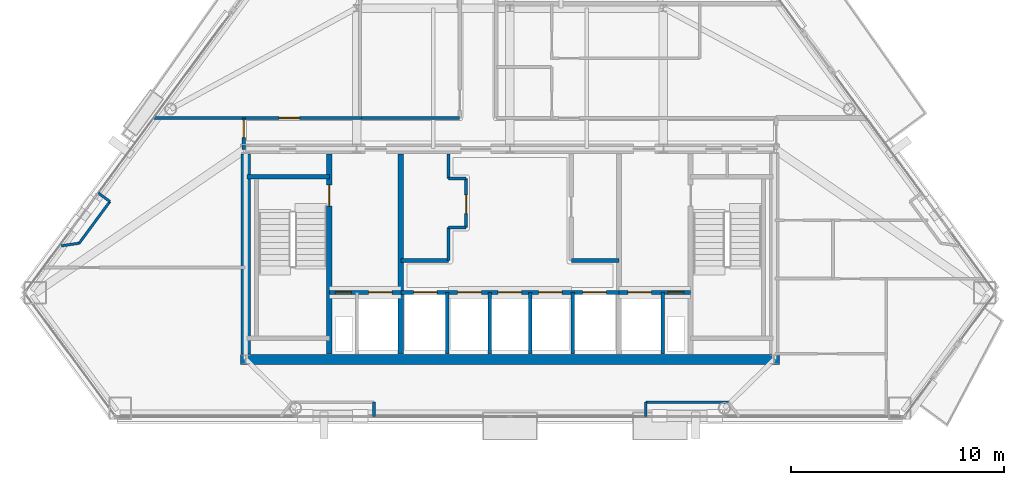
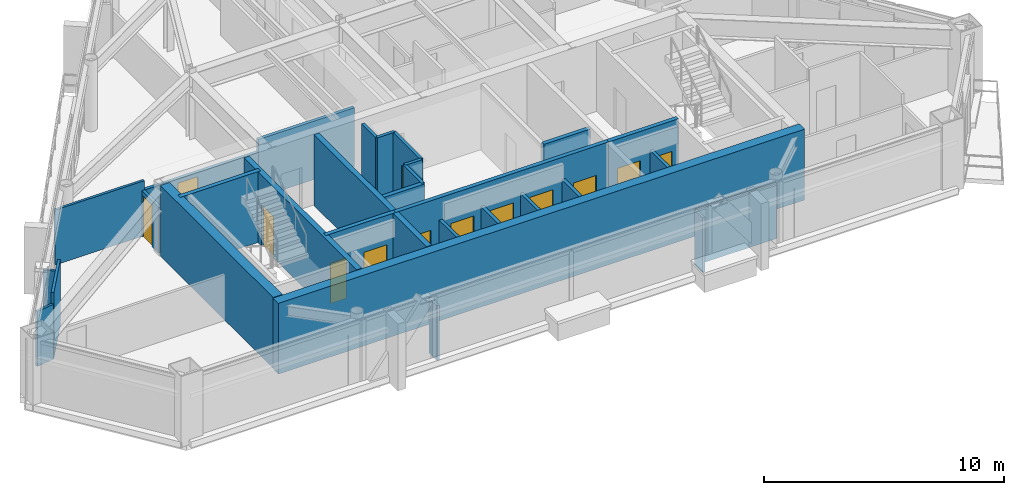
# One storey, part 7 of 11: 30 walls, 13 doors, 13 openings.
"""IFC4 building model written with IfcOpenShell, lengths in metres."""

from ifc_helpers import new_model, si_unit, direction, frame, frame_2d, origin, place, context, subcontext, project, spatial, rectangle, extrude, material, layer, layer_set, type_object, element, fill, save


model = new_model("IFC4")

# Units and contexts
model_context = context("Model", 3, precision=1e-05, world=origin(), true_north=direction((0.0, 1.0)))
body_context = subcontext(model_context, "Body", "Model", "MODEL_VIEW")
ifc_project = project(units=[si_unit("LENGTHUNIT", "METRE"), si_unit("AREAUNIT", "SQUARE_METRE"), si_unit("VOLUMEUNIT", "CUBIC_METRE"), si_unit("PLANEANGLEUNIT", "RADIAN"), si_unit("MASSUNIT", "GRAM", prefix="KILO")], contexts=[model_context])

# Site, building, storey
site_placement = place(None, origin())
site = spatial("IfcSite", under=ifc_project, at=site_placement, CompositionType="ELEMENT")
building_placement = place(site_placement, origin())
building = spatial("IfcBuilding", under=site, at=building_placement, Name="Talgorran Terracotta Tower", CompositionType="ELEMENT")
storey_placement = place(building_placement, frame((0.0, 0.0, 178.5)))
storey = spatial("IfcBuildingStorey", under=building, at=storey_placement, Name="L46", CompositionType="ELEMENT", Elevation=178.5)

# Wall
ifc_material_1 = material(Name="Concrete C50/60", Category="concrete")
ifc_layer_1 = layer(ifc_material_1, 0.199951171875, Name="WT_CORE_200")
ifc_layer_set_1 = layer_set([ifc_layer_1], Name="Concrete C50/60")
wall_type_1 = type_object("IfcWallType", Name="WT_CORE_200", PredefinedType="SOLIDWALL", material=ifc_layer_set_1)
wall_1_placement = place(storey_placement, frame((-12.35009765625, -5.52001953125, 0.0), z_axis=(0.0, 0.0, 1.0), x_axis=(1.0, 0.0, 0.0)))
element("IfcWall", 1, at=wall_1_placement, inside=storey, type_object=wall_type_1, Name="WL-L46-CW-ST1-N", PredefinedType="SOLIDWALL", context=body_context, shape_type="SweptSolid", body=[
    extrude(rectangle(XDim=3.8701171875, YDim=0.199951171875, at=frame_2d((1.93505859375, 0.0))), origin(), (0.0, 0.0, 1.0), 3.60009765625),
])

# Wall, openings, doors
wall_2_placement = place(storey_placement, frame((-8.47998046875, -10.949951171875, 0.0), z_axis=(0.0, 0.0, 1.0), x_axis=(1.0, 0.0, 0.0)))
wall_2 = element("IfcWall", 2, at=wall_2_placement, inside=storey, type_object=wall_type_1, Name="WL-L46-CW-H-SBW", PredefinedType="SOLIDWALL", context=body_context, shape_type="SweptSolid", body=[
    extrude(rectangle(XDim=3.35986328125, YDim=0.199951171875, at=frame_2d((1.679931640625, 0.0))), origin(), (0.0, 0.0, 1.0), 3.60009765625),
])
opening_1_placement = place(wall_2_placement, frame((0.280029296875, 0.0, 0.0)))
opening_1 = element("IfcOpeningElement", 3, at=opening_1_placement, cuts=wall_2, Name="Opening DR-RSW", PredefinedType="OPENING", context=body_context, shape_type="SweptSolid", body=[
    extrude(rectangle(XDim=0.756, YDim=2.054048828125, at=frame_2d((0.375, 1.027099609375))), frame((0.0, 0.10986328125, 0.0), z_axis=(0.0, -1.0, 0.0), x_axis=(1.0, 0.0, 0.0)), (0.0, 0.0, 1.0), 0.219970703125),
])
opening_2_placement = place(wall_2_placement, frame((1.85009765625, 0.0, 0.0)))
opening_2 = element("IfcOpeningElement", 4, at=opening_2_placement, cuts=wall_2, Name="Opening LD-FFL1", PredefinedType="OPENING", context=body_context, shape_type="SweptSolid", body=[
    extrude(rectangle(XDim=1.10609765625, YDim=2.10409765625, at=frame_2d((0.550048828125, 1.052001953125))), frame((0.0, 0.10986328125, 0.0), z_axis=(0.0, -1.0, 0.0), x_axis=(1.0, 0.0, 0.0)), (0.0, 0.0, 1.0), 0.219970703125),
])
ifc_material_2 = material(Name="Brushed Stainless Steel Grade 304", Category="steel")
door_type_1 = type_object("IfcDoorType", Name="DT_LIFT_LD1100", OperationType="DOUBLE_DOOR_SLIDING", PredefinedType="DOOR", material=ifc_material_2)
door_1_placement = place(opening_2_placement, origin())
door_1 = element("IfcDoor", 5, at=door_1_placement, inside=storey, type_object=door_type_1, Name="L46 Lift Landing Door LD-FFL1", OperationType="DOUBLE_DOOR_SLIDING", OverallHeight=2.10009765625, OverallWidth=1.10009765625, PredefinedType="DOOR", context=body_context, shape_type="SweptSolid", body=[
    extrude(rectangle(XDim=1.10009765625, YDim=2.10009765625, at=frame_2d((0.550048828125, 1.050048828125))), frame((0.0, 0.02490234375, 0.0), z_axis=(0.0, -1.0, 0.0), x_axis=(1.0, 0.0, 0.0)), (0.0, 0.0, 1.0), 0.050048828125),
])
fill(opening_2, door_1)
ifc_material_3 = material(Name="Fire-Rated Pressed Steel", Category="steel")
door_type_2 = type_object("IfcDoorType", Name="DT_RISER_750", OperationType="NOTDEFINED", PredefinedType="DOOR", material=ifc_material_3)
door_2_placement = place(opening_1_placement, origin())
door_2 = element("IfcDoor", 6, at=door_2_placement, inside=storey, type_object=door_type_2, Name="DR-RSW", OperationType="SINGLE_SWING_LEFT", OverallHeight=2.050048828125, OverallWidth=0.75, PredefinedType="DOOR", context=body_context, shape_type="SweptSolid", body=[
    extrude(rectangle(XDim=0.75, YDim=2.050048828125, at=frame_2d((0.375, 1.02490234375))), frame((0.0, 0.02490234375, 0.0), z_axis=(0.0, -1.0, 0.0), x_axis=(1.0, 0.0, 0.0)), (0.0, 0.0, 1.0), 0.050048828125),
])
fill(opening_1, door_2)

wall_3_placement = place(storey_placement, frame((-5.1201171875, -10.949951171875, 0.0), z_axis=(0.0, 0.0, 1.0), x_axis=(1.0, 0.0, 0.0)))
wall_3 = element("IfcWall", 7, at=wall_3_placement, inside=storey, type_object=wall_type_1, Name="WL-L46-CW-H-SBC", PredefinedType="SOLIDWALL", context=body_context, shape_type="SweptSolid", body=[
    extrude(rectangle(XDim=10.240234375, YDim=0.199951171875, at=frame_2d((5.1201171875, 0.0))), origin(), (0.0, 0.0, 1.0), 3.60009765625),
])
opening_3_placement = place(wall_3_placement, frame((0.60009765625, 0.0, 0.0)))
opening_3 = element("IfcOpeningElement", 8, at=opening_3_placement, cuts=wall_3, Name="Opening LD-OB1", PredefinedType="OPENING", context=body_context, shape_type="SweptSolid", body=[
    extrude(rectangle(XDim=1.10609765625, YDim=2.10409765625, at=frame_2d((0.550048828125, 1.052001953125))), frame((0.0, 0.10986328125, 0.0), z_axis=(0.0, -1.0, 0.0), x_axis=(1.0, 0.0, 0.0)), (0.0, 0.0, 1.0), 0.219970703125),
])
opening_4_placement = place(wall_3_placement, frame((2.669921875, 0.0, 0.0)))
opening_4 = element("IfcOpeningElement", 9, at=opening_4_placement, cuts=wall_3, Name="Opening LD-PLH1", PredefinedType="OPENING", context=body_context, shape_type="SweptSolid", body=[
    extrude(rectangle(XDim=1.10609765625, YDim=2.10409765625, at=frame_2d((0.550048828125, 1.052001953125))), frame((0.0, 0.10986328125, 0.0), z_axis=(0.0, -1.0, 0.0), x_axis=(1.0, 0.0, 0.0)), (0.0, 0.0, 1.0), 0.219970703125),
])
opening_5_placement = place(wall_3_placement, frame((4.570068359375, 0.0, 0.0)))
opening_5 = element("IfcOpeningElement", 10, at=opening_5_placement, cuts=wall_3, Name="Opening LD-PLH2", PredefinedType="OPENING", context=body_context, shape_type="SweptSolid", body=[
    extrude(rectangle(XDim=1.10609765625, YDim=2.10409765625, at=frame_2d((0.550048828125, 1.052001953125))), frame((0.0, 0.10986328125, 0.0), z_axis=(0.0, -1.0, 0.0), x_axis=(1.0, 0.0, 0.0)), (0.0, 0.0, 1.0), 0.219970703125),
])
opening_6_placement = place(wall_3_placement, frame((6.469970703125, 0.0, 0.0)))
opening_6 = element("IfcOpeningElement", 11, at=opening_6_placement, cuts=wall_3, Name="Opening LD-PLH3", PredefinedType="OPENING", context=body_context, shape_type="SweptSolid", body=[
    extrude(rectangle(XDim=1.10609765625, YDim=2.10409765625, at=frame_2d((0.550048828125, 1.052001953125))), frame((0.0, 0.10986328125, 0.0), z_axis=(0.0, -1.0, 0.0), x_axis=(1.0, 0.0, 0.0)), (0.0, 0.0, 1.0), 0.219970703125),
])
opening_7_placement = place(wall_3_placement, frame((8.5400390625, 0.0, 0.0)))
opening_7 = element("IfcOpeningElement", 12, at=opening_7_placement, cuts=wall_3, Name="Opening LD-SVL1", PredefinedType="OPENING", context=body_context, shape_type="SweptSolid", body=[
    extrude(rectangle(XDim=1.10609765625, YDim=2.10409765625, at=frame_2d((0.550048828125, 1.052001953125))), frame((0.0, 0.10986328125, 0.0), z_axis=(0.0, -1.0, 0.0), x_axis=(1.0, 0.0, 0.0)), (0.0, 0.0, 1.0), 0.219970703125),
])
door_3_placement = place(opening_3_placement, origin())
door_3 = element("IfcDoor", 13, at=door_3_placement, inside=storey, type_object=door_type_1, Name="L46 Lift Landing Door LD-OB1", OperationType="DOUBLE_DOOR_SLIDING", OverallHeight=2.10009765625, OverallWidth=1.10009765625, PredefinedType="DOOR", context=body_context, shape_type="SweptSolid", body=[
    extrude(rectangle(XDim=1.10009765625, YDim=2.10009765625, at=frame_2d((0.550048828125, 1.050048828125))), frame((0.0, 0.02490234375, 0.0), z_axis=(0.0, -1.0, 0.0), x_axis=(1.0, 0.0, 0.0)), (0.0, 0.0, 1.0), 0.050048828125),
])
fill(opening_3, door_3)
door_4_placement = place(opening_4_placement, origin())
door_4 = element("IfcDoor", 14, at=door_4_placement, inside=storey, type_object=door_type_1, Name="L46 Lift Landing Door LD-PLH1", OperationType="DOUBLE_DOOR_SLIDING", OverallHeight=2.10009765625, OverallWidth=1.10009765625, PredefinedType="DOOR", context=body_context, shape_type="SweptSolid", body=[
    extrude(rectangle(XDim=1.10009765625, YDim=2.10009765625, at=frame_2d((0.550048828125, 1.050048828125))), frame((0.0, 0.02490234375, 0.0), z_axis=(0.0, -1.0, 0.0), x_axis=(1.0, 0.0, 0.0)), (0.0, 0.0, 1.0), 0.050048828125),
])
fill(opening_4, door_4)
door_5_placement = place(opening_5_placement, origin())
door_5 = element("IfcDoor", 15, at=door_5_placement, inside=storey, type_object=door_type_1, Name="L46 Lift Landing Door LD-PLH2", OperationType="DOUBLE_DOOR_SLIDING", OverallHeight=2.10009765625, OverallWidth=1.10009765625, PredefinedType="DOOR", context=body_context, shape_type="SweptSolid", body=[
    extrude(rectangle(XDim=1.10009765625, YDim=2.10009765625, at=frame_2d((0.550048828125, 1.050048828125))), frame((0.0, 0.02490234375, 0.0), z_axis=(0.0, -1.0, 0.0), x_axis=(1.0, 0.0, 0.0)), (0.0, 0.0, 1.0), 0.050048828125),
])
fill(opening_5, door_5)
door_6_placement = place(opening_6_placement, origin())
door_6 = element("IfcDoor", 16, at=door_6_placement, inside=storey, type_object=door_type_1, Name="L46 Lift Landing Door LD-PLH3", OperationType="DOUBLE_DOOR_SLIDING", OverallHeight=2.10009765625, OverallWidth=1.10009765625, PredefinedType="DOOR", context=body_context, shape_type="SweptSolid", body=[
    extrude(rectangle(XDim=1.10009765625, YDim=2.10009765625, at=frame_2d((0.550048828125, 1.050048828125))), frame((0.0, 0.02490234375, 0.0), z_axis=(0.0, -1.0, 0.0), x_axis=(1.0, 0.0, 0.0)), (0.0, 0.0, 1.0), 0.050048828125),
])
fill(opening_6, door_6)
door_7_placement = place(opening_7_placement, origin())
door_7 = element("IfcDoor", 17, at=door_7_placement, inside=storey, type_object=door_type_1, Name="L46 Lift Landing Door LD-SVL1", OperationType="DOUBLE_DOOR_SLIDING", OverallHeight=2.10009765625, OverallWidth=1.10009765625, PredefinedType="DOOR", context=body_context, shape_type="SweptSolid", body=[
    extrude(rectangle(XDim=1.10009765625, YDim=2.10009765625, at=frame_2d((0.550048828125, 1.050048828125))), frame((0.0, 0.02490234375, 0.0), z_axis=(0.0, -1.0, 0.0), x_axis=(1.0, 0.0, 0.0)), (0.0, 0.0, 1.0), 0.050048828125),
])
fill(opening_7, door_7)

wall_4_placement = place(storey_placement, frame((5.1201171875, -10.949951171875, 0.0), z_axis=(0.0, 0.0, 1.0), x_axis=(1.0, 0.0, 0.0)))
wall_4 = element("IfcWall", 18, at=wall_4_placement, inside=storey, type_object=wall_type_1, Name="WL-L46-CW-H-SBE", PredefinedType="SOLIDWALL", context=body_context, shape_type="SweptSolid", body=[
    extrude(rectangle(XDim=3.35986328125, YDim=0.199951171875, at=frame_2d((1.679931640625, 0.0))), origin(), (0.0, 0.0, 1.0), 3.60009765625),
])
opening_8_placement = place(wall_4_placement, frame((0.419921875, 0.0, 0.0)))
opening_8 = element("IfcOpeningElement", 19, at=opening_8_placement, cuts=wall_4, Name="Opening LD-FFL2", PredefinedType="OPENING", context=body_context, shape_type="SweptSolid", body=[
    extrude(rectangle(XDim=1.10609765625, YDim=2.10409765625, at=frame_2d((0.550048828125, 1.052001953125))), frame((0.0, 0.10986328125, 0.0), z_axis=(0.0, -1.0, 0.0), x_axis=(1.0, 0.0, 0.0)), (0.0, 0.0, 1.0), 0.219970703125),
])
opening_9_placement = place(wall_4_placement, frame((2.300048828125, 0.0, 0.0)))
opening_9 = element("IfcOpeningElement", 20, at=opening_9_placement, cuts=wall_4, Name="Opening DR-RSE", PredefinedType="OPENING", context=body_context, shape_type="SweptSolid", body=[
    extrude(rectangle(XDim=0.756, YDim=2.054048828125, at=frame_2d((0.375, 1.027099609375))), frame((0.0, 0.10986328125, 0.0), z_axis=(0.0, -1.0, 0.0), x_axis=(1.0, 0.0, 0.0)), (0.0, 0.0, 1.0), 0.219970703125),
])
door_8_placement = place(opening_8_placement, origin())
door_8 = element("IfcDoor", 21, at=door_8_placement, inside=storey, type_object=door_type_1, Name="L46 Lift Landing Door LD-FFL2", OperationType="DOUBLE_DOOR_SLIDING", OverallHeight=2.10009765625, OverallWidth=1.10009765625, PredefinedType="DOOR", context=body_context, shape_type="SweptSolid", body=[
    extrude(rectangle(XDim=1.10009765625, YDim=2.10009765625, at=frame_2d((0.550048828125, 1.050048828125))), frame((0.0, 0.02490234375, 0.0), z_axis=(0.0, -1.0, 0.0), x_axis=(1.0, 0.0, 0.0)), (0.0, 0.0, 1.0), 0.050048828125),
])
fill(opening_8, door_8)
door_9_placement = place(opening_9_placement, origin())
door_9 = element("IfcDoor", 22, at=door_9_placement, inside=storey, type_object=door_type_2, Name="DR-RSE", OperationType="SINGLE_SWING_RIGHT", OverallHeight=2.050048828125, OverallWidth=0.75, PredefinedType="DOOR", context=body_context, shape_type="SweptSolid", body=[
    extrude(rectangle(XDim=0.75, YDim=2.050048828125, at=frame_2d((0.375, 1.02490234375))), frame((0.0, 0.02490234375, 0.0), z_axis=(0.0, -1.0, 0.0), x_axis=(1.0, 0.0, 0.0)), (0.0, 0.0, 1.0), 0.050048828125),
])
fill(opening_9, door_9)

# Walls
for number, where, z_axis, x_axis, name in (
    (23, (-5.1201171875, -9.449951171875, 0.0), (0.0, 0.0, 1.0), (1.0, 0.0, 0.0), "WL-L46-CW-H-W4"),
    (24, (2.8798828125, -9.449951171875, 0.0), (0.0, 0.0, 1.0), (1.0, 0.0, 0.0), "WL-L46-CW-H-E4"),
):
    element("IfcWall", number, at=place(storey_placement, frame(where, z_axis=z_axis, x_axis=x_axis)), inside=storey, type_object=wall_type_1, Name=name, PredefinedType="SOLIDWALL", context=body_context, shape_type="SweptSolid", body=[
        extrude(rectangle(XDim=2.240234375, YDim=0.199951171875, at=frame_2d((1.1201171875, 0.0))), origin(), (0.0, 0.0, 1.0), 3.35009765625),
    ])

# Wall, opening, door
ifc_layer_2 = layer(ifc_material_1, 0.25, Name="WT_CORE_250")
ifc_layer_set_2 = layer_set([ifc_layer_2], Name="Concrete C50/60")
wall_type_2 = type_object("IfcWallType", Name="WT_CORE_250", PredefinedType="SHEAR", material=ifc_layer_set_2)
wall_5_placement = place(storey_placement, frame((-8.47998046875, -13.85009765625, 0.0), z_axis=(0.0, 0.0, 1.0), x_axis=(0.0, 1.0, 0.0)))
wall_5 = element("IfcWall", 25, at=wall_5_placement, inside=storey, type_object=wall_type_2, Name="WL-L46-CW-V-W1", PredefinedType="SHEAR", context=body_context, shape_type="SweptSolid", body=[
    extrude(rectangle(XDim=9.400146484375, YDim=0.25, at=frame_2d((4.7001953125, 0.0))), origin(), (0.0, 0.0, 1.0), 3.60009765625),
])
opening_10_placement = place(wall_5_placement, frame((6.949951171875, 0.0, 0.0)))
opening_10 = element("IfcOpeningElement", 26, at=opening_10_placement, cuts=wall_5, Name="Opening DR-ST01", PredefinedType="OPENING", context=body_context, shape_type="SweptSolid", body=[
    extrude(rectangle(XDim=1.006, YDim=2.10409765625, at=frame_2d((0.5, 1.052001953125))), frame((0.0, 0.135009765625, 0.0), z_axis=(0.0, -1.0, 0.0), x_axis=(1.0, 0.0, 0.0)), (0.0, 0.0, 1.0), 0.27001953125),
])
door_type_3 = type_object("IfcDoorType", Name="DT_FIRE_1000", OperationType="NOTDEFINED", PredefinedType="DOOR", material=ifc_material_3)
door_10_placement = place(opening_10_placement, origin())
door_10 = element("IfcDoor", 27, at=door_10_placement, inside=storey, type_object=door_type_3, Name="DR-ST01", OperationType="SINGLE_SWING_LEFT", OverallHeight=2.10009765625, OverallWidth=1.0, PredefinedType="DOOR", context=body_context, shape_type="SweptSolid", body=[
    extrude(rectangle(XDim=1.0, YDim=2.10009765625, at=frame_2d((0.5, 1.050048828125))), frame((0.0, 0.02490234375, 0.0), z_axis=(0.0, -1.0, 0.0), x_axis=(1.0, 0.0, 0.0)), (0.0, 0.0, 1.0), 0.050048828125),
])
fill(opening_10, door_10)

# Walls
wall_6_placement = place(storey_placement, frame((-5.1201171875, -13.85009765625, 0.0), z_axis=(0.0, 0.0, 1.0), x_axis=(0.0, 1.0, 0.0)))
element("IfcWall", 28, at=wall_6_placement, inside=storey, type_object=wall_type_2, Name="WL-L46-CW-V-W2", PredefinedType="SHEAR", context=body_context, shape_type="SweptSolid", body=[
    extrude(rectangle(XDim=9.400146484375, YDim=0.25, at=frame_2d((4.7001953125, 0.0))), origin(), (0.0, 0.0, 1.0), 3.60009765625),
])
ifc_material_4 = material(Name="Concrete C65/80", Category="concrete")
ifc_layer_3 = layer(ifc_material_4, 0.449951171875, Name="WT_CORE_EXT")
ifc_layer_set_3 = layer_set([ifc_layer_3], Name="Concrete C65/80")
wall_type_3 = type_object("IfcWallType", Name="WT_CORE_EXT", PredefinedType="SHEAR", material=ifc_layer_set_3)
wall_7_placement = place(storey_placement, frame((-12.64990234375, -14.10009765625, 0.0), z_axis=(0.0, 0.0, 1.0), x_axis=(1.0, 0.0, 0.0)))
element("IfcWall", 29, at=wall_7_placement, inside=storey, type_object=wall_type_3, Name="WL-L46-CW-OUT-S", PredefinedType="SHEAR", context=body_context, shape_type="SweptSolid", body=[
    extrude(rectangle(XDim=25.2998046875, YDim=0.449951171875, at=frame_2d((12.64990234375, 0.0))), origin(), (0.0, 0.0, 1.0), 3.60009765625),
])
wall_8_placement = place(storey_placement, frame((-12.39990234375, -13.85009765625, 0.0), z_axis=(0.0, 0.0, 1.0), x_axis=(0.0, 1.0, 0.0)))
element("IfcWall", 30, at=wall_8_placement, inside=storey, type_object=wall_type_3, Name="WL-L46-CW-OUT-W", PredefinedType="SHEAR", context=body_context, shape_type="SweptSolid", body=[
    extrude(rectangle(XDim=9.400146484375, YDim=0.449951171875, at=frame_2d((4.7001953125, 0.0))), origin(), (0.0, 0.0, 1.0), 3.60009765625),
])
ifc_material_5 = material(Name="Fire-Rated Steel Stud Plasterboard", Category="steel")
ifc_layer_4 = layer(ifc_material_5, 0.14990234375, Name="WT_FIRE_150")
ifc_layer_set_4 = layer_set([ifc_layer_4], Name="Fire-Rated Steel Stud Plasterboard")
wall_type_4 = type_object("IfcWallType", Name="WT_FIRE_150", PredefinedType="PARTITIONING", material=ifc_layer_set_4)
wall_9_placement = place(storey_placement, frame((-2.8798828125, -9.449951171875, 0.0), z_axis=(0.0, 0.0, 1.0), x_axis=(0.0, 1.0, 0.0)))
element("IfcWall", 31, at=wall_9_placement, inside=storey, type_object=wall_type_4, Name="WL-L46-CW-V-W3A", PredefinedType="PARTITIONING", context=body_context, shape_type="SweptSolid", body=[
    extrude(rectangle(XDim=1.550048828125, YDim=0.14990234375, at=frame_2d((0.77490234375, 0.0))), origin(), (0.0, 0.0, 1.0), 3.35009765625),
])
wall_10_placement = place(storey_placement, frame((-2.8798828125, -7.89990234375, 0.0), z_axis=(0.0, 0.0, 1.0), x_axis=(1.0, 0.0, 0.0)))
element("IfcWall", 32, at=wall_10_placement, inside=storey, type_object=wall_type_4, Name="WL-L46-CW-H-W3B", PredefinedType="PARTITIONING", context=body_context, shape_type="SweptSolid", body=[
    extrude(rectangle(XDim=0.81982421875, YDim=0.14990234375, at=frame_2d((0.409912109375, 0.0))), origin(), (0.0, 0.0, 1.0), 3.35009765625),
])

# Wall, opening, door
wall_11_placement = place(storey_placement, frame((-2.06005859375, -7.89990234375, 0.0), z_axis=(0.0, 0.0, 1.0), x_axis=(0.0, 1.0, 0.0)))
wall_11 = element("IfcWall", 33, at=wall_11_placement, inside=storey, type_object=wall_type_4, Name="WL-L46-CW-V-W3C", PredefinedType="PARTITIONING", context=body_context, shape_type="SweptSolid", body=[
    extrude(rectangle(XDim=2.2998046875, YDim=0.14990234375, at=frame_2d((1.14990234375, 0.0))), origin(), (0.0, 0.0, 1.0), 3.35009765625),
])
opening_11_placement = place(wall_11_placement, frame((0.64990234375, 0.0, 0.0)))
opening_11 = element("IfcOpeningElement", 34, at=opening_11_placement, cuts=wall_11, Name="Opening DR-FRPLL-B", PredefinedType="OPENING", context=body_context, shape_type="SweptSolid", body=[
    extrude(rectangle(XDim=0.8858828125, YDim=2.10409765625, at=frame_2d((0.43994140625, 1.052001953125))), frame((0.0, 0.0849609375, 0.0), z_axis=(0.0, -1.0, 0.0), x_axis=(1.0, 0.0, 0.0)), (0.0, 0.0, 1.0), 0.169921875),
])
ifc_material_6 = material(Name="Solid-Core Painted Timber", Category="wood")
door_type_4 = type_object("IfcDoorType", Name="DT_INT_880", OperationType="NOTDEFINED", PredefinedType="DOOR", material=ifc_material_6)
door_11_placement = place(opening_11_placement, origin())
door_11 = element("IfcDoor", 35, at=door_11_placement, inside=storey, type_object=door_type_4, Name="DR-FRPLL-B", OperationType="SINGLE_SWING_LEFT", OverallHeight=2.10009765625, OverallWidth=0.8798828125, PredefinedType="DOOR", context=body_context, shape_type="SweptSolid", body=[
    extrude(rectangle(XDim=0.8798828125, YDim=2.10009765625, at=frame_2d((0.43994140625, 1.050048828125))), frame((0.0, 0.02490234375, 0.0), z_axis=(0.0, -1.0, 0.0), x_axis=(1.0, 0.0, 0.0)), (0.0, 0.0, 1.0), 0.050048828125),
])
fill(opening_11, door_11)

# Walls
wall_12_placement = place(storey_placement, frame((-2.8798828125, -5.60009765625, 0.0), z_axis=(0.0, 0.0, 1.0), x_axis=(1.0, 0.0, 0.0)))
element("IfcWall", 36, at=wall_12_placement, inside=storey, type_object=wall_type_4, Name="WL-L46-CW-H-W3D", PredefinedType="PARTITIONING", context=body_context, shape_type="SweptSolid", body=[
    extrude(rectangle(XDim=0.81982421875, YDim=0.14990234375, at=frame_2d((0.409912109375, 0.0))), origin(), (0.0, 0.0, 1.0), 3.35009765625),
])
wall_13_placement = place(storey_placement, frame((-2.8798828125, -5.60009765625, 0.0), z_axis=(0.0, 0.0, 1.0), x_axis=(0.0, 1.0, 0.0)))
element("IfcWall", 37, at=wall_13_placement, inside=storey, type_object=wall_type_4, Name="WL-L46-CW-V-W3E", PredefinedType="PARTITIONING", context=body_context, shape_type="SweptSolid", body=[
    extrude(rectangle(XDim=1.150146484375, YDim=0.14990234375, at=frame_2d((0.5751953125, 0.0))), origin(), (0.0, 0.0, 1.0), 3.35009765625),
])

# Wall, opening, door
wall_14_placement = place(storey_placement, frame((-12.5, -2.760009765625, 0.0), z_axis=(0.0, 0.0, 1.0), x_axis=(1.0, 0.0, 0.0)))
wall_14 = element("IfcWall", 38, at=wall_14_placement, inside=storey, type_object=wall_type_4, Name="WL-L46-W-L46-R09", PredefinedType="PARTITIONING", context=body_context, shape_type="SweptSolid", body=[
    extrude(rectangle(XDim=5.52001953125, YDim=0.14990234375, at=frame_2d((2.760009765625, 0.0))), origin(), (0.0, 0.0, 1.0), 2.324951171875),
])
opening_12_placement = place(wall_14_placement, frame((1.669189453125, 0.0, 0.0)))
opening_12 = element("IfcOpeningElement", 39, at=opening_12_placement, cuts=wall_14, Name="Opening DR-L46-R12", PredefinedType="OPENING", context=body_context, shape_type="SweptSolid", body=[
    extrude(rectangle(XDim=0.955951171875, YDim=2.10409765625, at=frame_2d((0.47509765625, 1.052001953125))), frame((0.0, 0.0849609375, 0.0), z_axis=(0.0, -1.0, 0.0), x_axis=(1.0, 0.0, 0.0)), (0.0, 0.0, 1.0), 0.169921875),
])
ifc_material_7 = material(Name="Fire-Rated Timber Core", Category="wood")
door_type_5 = type_object("IfcDoorType", Name="DT_FIRE_950", OperationType="NOTDEFINED", PredefinedType="DOOR", material=ifc_material_7)
door_12_placement = place(opening_12_placement, origin())
door_12 = element("IfcDoor", 40, at=door_12_placement, inside=storey, type_object=door_type_5, Name="DR-L46-R12", OperationType="SINGLE_SWING_RIGHT", OverallHeight=2.10009765625, OverallWidth=0.949951171875, PredefinedType="DOOR", context=body_context, shape_type="SweptSolid", body=[
    extrude(rectangle(XDim=0.949951171875, YDim=2.10009765625, at=frame_2d((0.47509765625, 1.050048828125))), frame((0.0, 0.02490234375, 0.0), z_axis=(0.0, -1.0, 0.0), x_axis=(1.0, 0.0, 0.0)), (0.0, 0.0, 1.0), 0.050048828125),
])
fill(opening_12, door_12)

# Wall
wall_15_placement = place(storey_placement, frame((-6.97802734375, -2.760009765625, 0.0), z_axis=(0.0, 0.0, 1.0), x_axis=(1.0, 0.0, 0.0)))
element("IfcWall", 41, at=wall_15_placement, inside=storey, type_object=wall_type_4, Name="WL-L46-W-L46-R10", PredefinedType="PARTITIONING", context=body_context, shape_type="SweptSolid", body=[
    extrude(rectangle(XDim=4.617919921875, YDim=0.14990234375, at=frame_2d((2.30908203125, 0.0))), origin(), (0.0, 0.0, 1.0), 2.969482421875),
])

# Wall, opening, door
wall_16_placement = place(storey_placement, frame((-12.5, -4.239990234375, 0.0), z_axis=(0.0, 0.0, 1.0), x_axis=(0.0, 1.0, 0.0)))
wall_16 = element("IfcWall", 42, at=wall_16_placement, inside=storey, type_object=wall_type_4, Name="WL-L46-W-L46-R13", PredefinedType="PARTITIONING", context=body_context, shape_type="SweptSolid", body=[
    extrude(rectangle(XDim=1.47998046875, YDim=0.14990234375, at=frame_2d((0.739990234375, 0.0))), origin(), (0.0, 0.0, 1.0), 2.324951171875),
])
opening_13_placement = place(wall_16_placement, frame((0.56005859375, 0.0, 0.0)))
opening_13 = element("IfcOpeningElement", 43, at=opening_13_placement, cuts=wall_16, Name="Opening DR-L46-R15", PredefinedType="OPENING", context=body_context, shape_type="SweptSolid", body=[
    extrude(rectangle(XDim=0.826068359375, YDim=2.10409765625, at=frame_2d((0.41015625, 1.052001953125))), frame((0.0, 0.0849609375, 0.0), z_axis=(0.0, -1.0, 0.0), x_axis=(1.0, 0.0, 0.0)), (0.0, 0.0, 1.0), 0.169921875),
])
ifc_material_8 = material(Name="Moisture-Resistant Solid Timber", Category="wood")
door_type_6 = type_object("IfcDoorType", Name="DT_INT_820", OperationType="NOTDEFINED", PredefinedType="DOOR", material=ifc_material_8)
door_13_placement = place(opening_13_placement, origin())
door_13 = element("IfcDoor", 44, at=door_13_placement, inside=storey, type_object=door_type_6, Name="DR-L46-R15", OperationType="SINGLE_SWING_LEFT", OverallHeight=2.10009765625, OverallWidth=0.820068359375, PredefinedType="DOOR", context=body_context, shape_type="SweptSolid", body=[
    extrude(rectangle(XDim=0.820068359375, YDim=2.10009765625, at=frame_2d((0.41015625, 1.050048828125))), frame((0.0, 0.02490234375, 0.0), z_axis=(0.0, -1.0, 0.0), x_axis=(1.0, 0.0, 0.0)), (0.0, 0.0, 1.0), 0.050048828125),
])
fill(opening_13, door_13)

# Walls
ifc_material_9 = material(Name="Insulated Steel Stud Plasterboard", Category="steel")
ifc_layer_5 = layer(ifc_material_9, 0.1201171875, Name="WT_PART_120")
ifc_layer_set_5 = layer_set([ifc_layer_5], Name="Insulated Steel Stud Plasterboard")
wall_type_5 = type_object("IfcWallType", Name="WT_PART_120", PredefinedType="PARTITIONING", material=ifc_layer_set_5)
wall_17_placement = place(storey_placement, frame((-16.736572265625, -2.760009765625, 0.0), z_axis=(0.0, 0.0, 1.0), x_axis=(1.0, 0.0, 0.0)))
element("IfcWall", 45, at=wall_17_placement, inside=storey, type_object=wall_type_5, Name="WL-L46-W-L46-R36", PredefinedType="PARTITIONING", context=body_context, shape_type="SweptSolid", body=[
    extrude(rectangle(XDim=4.296630859375, YDim=0.1201171875, at=frame_2d((2.1484375, 0.0))), origin(), (0.0, 0.0, 1.0), 2.7919921875),
])
wall_18_placement = place(storey_placement, frame((6.38330078125, -16.105712890625, 0.0), z_axis=(0.0, 0.0, 1.0), x_axis=(1.0, 0.0, 0.0)))
element("IfcWall", 46, at=wall_18_placement, inside=storey, type_object=wall_type_5, Name="WL-L46-BW-L46-01", PredefinedType="PARTITIONING", context=body_context, shape_type="SweptSolid", body=[
    extrude(rectangle(XDim=3.86767578125, YDim=0.1201171875, at=frame_2d((1.933837890625, 0.0))), origin(), (0.0, 0.0, 1.0), 2.7919921875),
])
wall_19_placement = place(storey_placement, frame((-18.784423828125, -6.682861328125, 0.0), z_axis=(0.0, 0.0, 1.0), x_axis=(-0.593517740009, -0.804820906969, 0.0)))
element("IfcWall", 47, at=wall_19_placement, inside=storey, type_object=wall_type_5, Name="WL-L46-BW-L46-08", PredefinedType="PARTITIONING", context=body_context, shape_type="SweptSolid", body=[
    extrude(rectangle(XDim=2.429931640625, YDim=0.1201171875, at=frame_2d((1.21484375, 0.0))), origin(), (0.0, 0.0, 1.0), 3.35009765625),
])
wall_20_placement = place(storey_placement, frame((-20.2265625, -8.638427734375, 0.0), z_axis=(0.0, 0.0, 1.0), x_axis=(-0.989242005698, -0.146288257089, 0.0)))
element("IfcWall", 48, at=wall_20_placement, inside=storey, type_object=wall_type_5, Name="WL-L46-BW-L46-09", PredefinedType="PARTITIONING", context=body_context, shape_type="SweptSolid", body=[
    extrude(rectangle(XDim=0.849365234375, YDim=0.1201171875, at=frame_2d((0.4248046875, 0.0))), origin(), (0.0, 0.0, 1.0), 2.7919921875),
])
for number, where, z_axis, x_axis, name in (
    (49, (-19.323486328125, -6.28515625, 0.0), (0.0, 0.0, 1.0), (0.804698441933, -0.59368376898, 0.0), "WL-L46-BW-L46-07"),
    (50, (6.38330078125, -16.775634765625, 0.0), (0.0, 0.0, 1.0), (0.0, 1.0, 0.0), "WL-L46-BW-L46-03"),
    (51, (-6.38330078125, -16.105712890625, 0.0), (0.0, 0.0, 1.0), (0.0, -1.0, 0.0), "WL-L46-BW-L46-04"),
):
    element("IfcWall", number, at=place(storey_placement, frame(where, z_axis=z_axis, x_axis=x_axis)), inside=storey, type_object=wall_type_5, Name=name, PredefinedType="PARTITIONING", context=body_context, shape_type="SweptSolid", body=[
        extrude(rectangle(XDim=0.669921875, YDim=0.1201171875, at=frame_2d((0.3349609375, 0.0))), origin(), (0.0, 0.0, 1.0), 2.7919921875),
    ])
ifc_material_10 = material(Name="Fire-Rated Shaftwall")
ifc_layer_6 = layer(ifc_material_10, 0.159912109375, Name="WT_PART_150")
ifc_layer_set_6 = layer_set([ifc_layer_6], Name="Fire-Rated Shaftwall")
wall_type_6 = type_object("IfcWallType", Name="WT_PART_150", PredefinedType="PARTITIONING", material=ifc_layer_set_6)
for number, where, z_axis, x_axis, name in (
    (52, (7.179931640625, -13.85009765625, 0.0), (0.0, 0.0, 1.0), (0.0, 1.0, 0.0), "WL-L46-CW-RSE"),
    (53, (-2.949951171875, -13.85009765625, 0.0), (0.0, 0.0, 1.0), (0.0, 1.0, 0.0), "WL-L46-CW-OB-E"),
    (54, (2.949951171875, -13.85009765625, 0.0), (0.0, 0.0, 1.0), (0.0, 1.0, 0.0), "WL-L46-CW-SV-W"),
    (55, (-0.949951171875, -13.85009765625, 0.0), (0.0, 0.0, 1.0), (0.0, 1.0, 0.0), "WL-L46-CW-PLH-D1"),
    (56, (0.949951171875, -13.85009765625, 0.0), (0.0, 0.0, 1.0), (0.0, 1.0, 0.0), "WL-L46-CW-PLH-D2"),
):
    element("IfcWall", number, at=place(storey_placement, frame(where, z_axis=z_axis, x_axis=x_axis)), inside=storey, type_object=wall_type_6, Name=name, PredefinedType="PARTITIONING", context=body_context, shape_type="SweptSolid", body=[
        extrude(rectangle(XDim=2.900146484375, YDim=0.159912109375, at=frame_2d((1.4501953125, 0.0))), origin(), (0.0, 0.0, 1.0), 2.47509765625),
    ])

save(model, "model.ifc")
